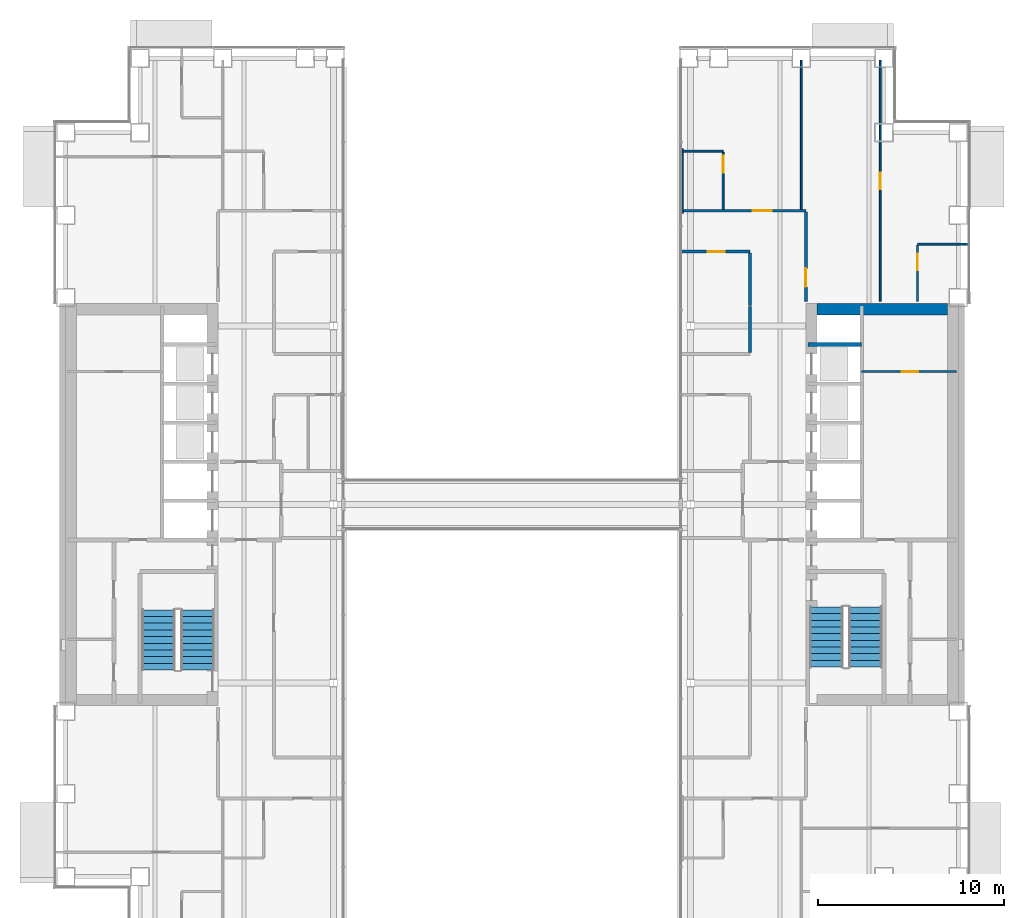
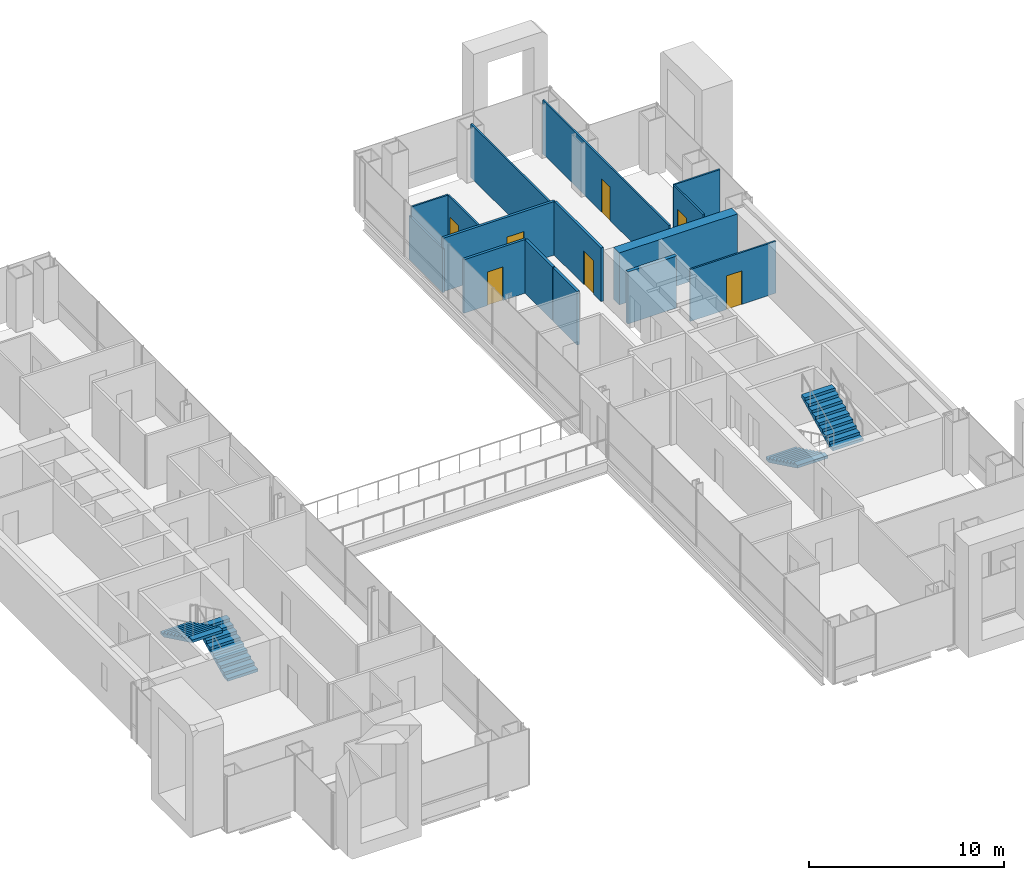
# One storey, part 17 of 21: 15 walls, 7 doors, 4 stair flights, 7 openings, 2 elements without a shape of their own.
"""IFC4 building model written with IfcOpenShell, lengths in metres."""

from ifc_helpers import new_model, si_unit, direction, frame, frame_2d, origin, place, context, subcontext, project, spatial, polyline, rectangle, outline, extrude, material, layer, layer_set, type_object, element, fill, aggregate, save


model = new_model("IFC4")

# Units and contexts
model_context = context("Model", 3, precision=1e-05, world=origin(), true_north=direction((0.0, 1.0)))
body_context = subcontext(model_context, "Body", "Model", "MODEL_VIEW")
ifc_project = project(units=[si_unit("LENGTHUNIT", "METRE"), si_unit("AREAUNIT", "SQUARE_METRE"), si_unit("VOLUMEUNIT", "CUBIC_METRE"), si_unit("PLANEANGLEUNIT", "RADIAN"), si_unit("MASSUNIT", "GRAM", prefix="KILO")], contexts=[model_context])

# Site, building, storey
site_placement = place(None, origin())
site = spatial("IfcSite", under=ifc_project, at=site_placement, CompositionType="ELEMENT")
building_placement = place(site_placement, origin())
building = spatial("IfcBuilding", under=site, at=building_placement, Name="Cobrizo Arcos Hotel Tower", CompositionType="ELEMENT")
storey_placement = place(building_placement, frame((0.0, 0.0, 74.0)))
storey = spatial("IfcBuildingStorey", under=building, at=storey_placement, Name="L17", CompositionType="ELEMENT", Elevation=74.0)

# Wall, opening, door
ifc_material_1 = material(Name="Gypsum board partition")
ifc_layer_1 = layer(ifc_material_1, 0.14990234375)
ifc_layer_set_1 = layer_set([ifc_layer_1], Name="Corridor wall EI 60 150")
wall_type_1 = type_object("IfcWallType", Name="Corridor wall EI 60 150", PredefinedType="PARTITIONING", material=ifc_layer_set_1)
wall_1_placement = place(storey_placement, frame((9.1201171875, 13.60009765625, 0.0), z_axis=(0.0, 0.0, 1.0), x_axis=(1.0, 0.0, 0.0)))
wall_1 = element("IfcWall", 1, at=wall_1_placement, inside=storey, type_object=wall_type_1, Name="Partition 042", PredefinedType="PARTITIONING", context=body_context, shape_type="SweptSolid", body=[
    extrude(rectangle(XDim=3.679931640625, YDim=0.14990234375, at=frame_2d((1.83984375, 0.0))), origin(), (0.0, 0.0, 1.0), 3.35009765625),
])
opening_1_placement = place(wall_1_placement, frame((1.405029296875, 0.0, 0.0)))
opening_1 = element("IfcOpeningElement", 2, at=opening_1_placement, cuts=wall_1, Name="Opening RD-14", PredefinedType="OPENING", context=body_context, shape_type="SweptSolid", body=[
    extrude(rectangle(XDim=0.89990234375, YDim=2.10009765625, at=frame_2d((0.449951171875, 1.050048828125))), frame((0.0, 0.0869140625, 0.0), z_axis=(0.0, -1.0, 0.0), x_axis=(1.0, 0.0, 0.0)), (0.0, 0.0, 1.0), 0.173828125),
])
ifc_material_2 = material(Name="Timber door leaf", Category="wood")
door_type_1 = type_object("IfcDoorType", Name="Room door FD30 900x2100", OperationType="SINGLE_SWING_LEFT", PredefinedType="DOOR", material=ifc_material_2)
door_1_placement = place(opening_1_placement, origin())
door_1 = element("IfcDoor", 3, at=door_1_placement, inside=storey, type_object=door_type_1, Name="Door RD-14", OperationType="SINGLE_SWING_LEFT", OverallHeight=2.10009765625, OverallWidth=0.89990234375, PredefinedType="DOOR", context=body_context, shape_type="SweptSolid", body=[
    extrude(rectangle(XDim=0.89990234375, YDim=2.10009765625, at=frame_2d((0.449951171875, 1.050048828125))), frame((0.0, 0.02490234375, 0.0), z_axis=(0.0, -1.0, 0.0), x_axis=(1.0, 0.0, 0.0)), (0.0, 0.0, 1.0), 0.050048828125),
])
fill(opening_1, door_1)

wall_2_placement = place(storey_placement, frame((9.14990234375, 15.800048828125, 0.0), z_axis=(0.0, 0.0, 1.0), x_axis=(1.0, 0.0, 0.0)))
wall_2 = element("IfcWall", 4, at=wall_2_placement, inside=storey, type_object=wall_type_1, Name="Partition 045", PredefinedType="PARTITIONING", context=body_context, shape_type="SweptSolid", body=[
    extrude(rectangle(XDim=6.650146484375, YDim=0.14990234375, at=frame_2d((3.3251953125, 0.0))), origin(), (0.0, 0.0, 1.0), 3.35009765625),
])
opening_2_placement = place(wall_2_placement, frame((3.802978515625, 0.0, 0.0)))
opening_2 = element("IfcOpeningElement", 5, at=opening_2_placement, cuts=wall_2, Name="Opening GD-01", PredefinedType="OPENING", context=body_context, shape_type="SweptSolid", body=[
    extrude(rectangle(XDim=1.0, YDim=2.10009765625, at=frame_2d((0.5, 1.050048828125))), frame((0.0, 0.0869140625, 0.0), z_axis=(0.0, -1.0, 0.0), x_axis=(1.0, 0.0, 0.0)), (0.0, 0.0, 1.0), 0.173828125),
])
door_type_2 = type_object("IfcDoorType", Name="Guest room door FD30S 1000x2100", OperationType="SINGLE_SWING_LEFT", PredefinedType="DOOR", material=ifc_material_2)
door_2_placement = place(opening_2_placement, origin())
door_2 = element("IfcDoor", 6, at=door_2_placement, inside=storey, type_object=door_type_2, Name="Door GD-01", OperationType="SINGLE_SWING_LEFT", OverallHeight=2.10009765625, OverallWidth=1.0, PredefinedType="DOOR", context=body_context, shape_type="SweptSolid", body=[
    extrude(rectangle(XDim=1.0, YDim=2.10009765625, at=frame_2d((0.5, 1.050048828125))), frame((0.0, 0.02490234375, 0.0), z_axis=(0.0, -1.0, 0.0), x_axis=(1.0, 0.0, 0.0)), (0.0, 0.0, 1.0), 0.050048828125),
])
fill(opening_2, door_2)

# Walls
wall_3_placement = place(storey_placement, frame((12.800048828125, 8.175048828125, 0.0), z_axis=(0.0, 0.0, 1.0), x_axis=(0.0, 1.0, 0.0)))
element("IfcWall", 7, at=wall_3_placement, inside=storey, type_object=wall_type_1, Name="Partition 075", PredefinedType="PARTITIONING", context=body_context, shape_type="SweptSolid", body=[
    extrude(rectangle(XDim=2.474853515625, YDim=0.14990234375, at=frame_2d((1.2373046875, 0.0))), origin(), (0.0, 0.0, 1.0), 3.35009765625),
])
wall_4_placement = place(storey_placement, frame((12.800048828125, 10.699951171875, 0.0), z_axis=(0.0, 0.0, 1.0), x_axis=(0.0, 1.0, 0.0)))
element("IfcWall", 8, at=wall_4_placement, inside=storey, type_object=wall_type_1, Name="Partition 076", PredefinedType="PARTITIONING", context=body_context, shape_type="SweptSolid", body=[
    extrude(rectangle(XDim=2.824951171875, YDim=0.14990234375, at=frame_2d((1.41259765625, 0.0))), origin(), (0.0, 0.0, 1.0), 3.35009765625),
])

# Wall, opening, door
wall_5_placement = place(storey_placement, frame((15.800048828125, 10.919921875, 0.0), z_axis=(0.0, 0.0, 1.0), x_axis=(0.0, 1.0, 0.0)))
wall_5 = element("IfcWall", 9, at=wall_5_placement, inside=storey, type_object=wall_type_1, Name="Partition 080", PredefinedType="PARTITIONING", context=body_context, shape_type="SweptSolid", body=[
    extrude(rectangle(XDim=4.80517578125, YDim=0.14990234375, at=frame_2d((2.402587890625, 0.0))), origin(), (0.0, 0.0, 1.0), 3.35009765625),
])
opening_3_placement = place(wall_5_placement, frame((0.780029296875, 0.0, 0.0)))
opening_3 = element("IfcOpeningElement", 10, at=opening_3_placement, cuts=wall_5, Name="Opening GD-08", PredefinedType="OPENING", context=body_context, shape_type="SweptSolid", body=[
    extrude(rectangle(XDim=1.0, YDim=2.10009765625, at=frame_2d((0.5, 1.050048828125))), frame((0.0, 0.0869140625, 0.0), z_axis=(0.0, -1.0, 0.0), x_axis=(1.0, 0.0, 0.0)), (0.0, 0.0, 1.0), 0.173828125),
])
door_3_placement = place(opening_3_placement, origin())
door_3 = element("IfcDoor", 11, at=door_3_placement, inside=storey, type_object=door_type_2, Name="Door GD-08", OperationType="SINGLE_SWING_RIGHT", OverallHeight=2.10009765625, OverallWidth=1.0, PredefinedType="DOOR", context=body_context, shape_type="SweptSolid", body=[
    extrude(rectangle(XDim=1.0, YDim=2.10009765625, at=frame_2d((0.5, 1.050048828125))), frame((0.0, 0.02490234375, 0.0), z_axis=(0.0, -1.0, 0.0), x_axis=(1.0, 0.0, 0.0)), (0.0, 0.0, 1.0), 0.050048828125),
])
fill(opening_3, door_3)

ifc_layer_2 = layer(ifc_material_1, 0.10009765625)
ifc_layer_set_2 = layer_set([ifc_layer_2], Name="Partition EI 30 100")
wall_type_2 = type_object("IfcWallType", Name="Partition EI 30 100", PredefinedType="PARTITIONING", material=ifc_layer_set_2)
wall_6_placement = place(storey_placement, frame((18.800048828125, 7.14990234375, 0.0), z_axis=(0.0, 0.0, 1.0), x_axis=(1.0, 0.0, 0.0)))
wall_6 = element("IfcWall", 12, at=wall_6_placement, inside=storey, type_object=wall_type_2, Name="Partition 036", PredefinedType="PARTITIONING", context=body_context, shape_type="SweptSolid", body=[
    extrude(rectangle(XDim=5.079833984375, YDim=0.10009765625, at=frame_2d((2.5400390625, 0.0))), origin(), (0.0, 0.0, 1.0), 3.25),
])
opening_4_placement = place(wall_6_placement, frame((2.14990234375, 0.0, 0.0)))
opening_4 = element("IfcOpeningElement", 13, at=opening_4_placement, cuts=wall_6, Name="Opening RD-08", PredefinedType="OPENING", context=body_context, shape_type="SweptSolid", body=[
    extrude(rectangle(XDim=0.89990234375, YDim=2.10009765625, at=frame_2d((0.449951171875, 1.050048828125))), frame((0.0, 0.06201171875, 0.0), z_axis=(0.0, -1.0, 0.0), x_axis=(1.0, 0.0, 0.0)), (0.0, 0.0, 1.0), 0.1240234375),
])
door_4_placement = place(opening_4_placement, origin())
door_4 = element("IfcDoor", 14, at=door_4_placement, inside=storey, type_object=door_type_1, Name="Door RD-08", OperationType="SINGLE_SWING_LEFT", OverallHeight=2.10009765625, OverallWidth=0.89990234375, PredefinedType="DOOR", context=body_context, shape_type="SweptSolid", body=[
    extrude(rectangle(XDim=0.89990234375, YDim=2.10009765625, at=frame_2d((0.449951171875, 1.050048828125))), frame((0.0, 0.02490234375, 0.0), z_axis=(0.0, -1.0, 0.0), x_axis=(1.0, 0.0, 0.0)), (0.0, 0.0, 1.0), 0.050048828125),
])
fill(opening_4, door_4)

# Walls
wall_7_placement = place(storey_placement, frame((21.800048828125, 14.0, 0.0), z_axis=(0.0, 0.0, 1.0), x_axis=(1.0, 0.0, 0.0)))
element("IfcWall", 15, at=wall_7_placement, inside=storey, type_object=wall_type_2, Name="Partition 043", PredefinedType="PARTITIONING", context=body_context, shape_type="SweptSolid", body=[
    extrude(rectangle(XDim=2.72998046875, YDim=0.10009765625, at=frame_2d((1.364990234375, 0.0))), origin(), (0.0, 0.0, 1.0), 3.35009765625),
])
wall_8_placement = place(storey_placement, frame((9.14990234375, 19.0, 0.0), z_axis=(0.0, 0.0, 1.0), x_axis=(1.0, 0.0, 0.0)))
element("IfcWall", 16, at=wall_8_placement, inside=storey, type_object=wall_type_2, Name="Partition 048", PredefinedType="PARTITIONING", context=body_context, shape_type="SweptSolid", body=[
    extrude(rectangle(XDim=2.2001953125, YDim=0.10009765625, at=frame_2d((1.10009765625, 0.0))), origin(), (0.0, 0.0, 1.0), 3.35009765625),
])
wall_9_placement = place(storey_placement, frame((9.14990234375, 15.659912109375, 0.0), z_axis=(0.0, 0.0, 1.0), x_axis=(0.0, 1.0, 0.0)))
element("IfcWall", 17, at=wall_9_placement, inside=storey, type_object=wall_type_2, Name="Partition 069", PredefinedType="PARTITIONING", context=body_context, shape_type="SweptSolid", body=[
    extrude(rectangle(XDim=3.47998046875, YDim=0.10009765625, at=frame_2d((1.739990234375, 0.0))), origin(), (0.0, 0.0, 1.0), 2.73291015625),
])

# Wall, opening, door
wall_10_placement = place(storey_placement, frame((11.35009765625, 15.875, 0.0), z_axis=(0.0, 0.0, 1.0), x_axis=(0.0, 1.0, 0.0)))
wall_10 = element("IfcWall", 18, at=wall_10_placement, inside=storey, type_object=wall_type_2, Name="Partition 071", PredefinedType="PARTITIONING", context=body_context, shape_type="SweptSolid", body=[
    extrude(rectangle(XDim=3.074951171875, YDim=0.10009765625, at=frame_2d((1.53759765625, 0.0))), origin(), (0.0, 0.0, 1.0), 3.35009765625),
])
opening_5_placement = place(wall_10_placement, frame((1.970947265625, 0.0, 0.0)))
opening_5 = element("IfcOpeningElement", 19, at=opening_5_placement, cuts=wall_10, Name="Opening ED-01", PredefinedType="OPENING", context=body_context, shape_type="SweptSolid", body=[
    extrude(rectangle(XDim=0.89990234375, YDim=2.10009765625, at=frame_2d((0.449951171875, 1.050048828125))), frame((0.0, 0.06201171875, 0.0), z_axis=(0.0, -1.0, 0.0), x_axis=(1.0, 0.0, 0.0)), (0.0, 0.0, 1.0), 0.1240234375),
])
door_type_3 = type_object("IfcDoorType", Name="En-suite door 900x2100", OperationType="SINGLE_SWING_LEFT", PredefinedType="DOOR", material=ifc_material_2)
door_5_placement = place(opening_5_placement, origin())
door_5 = element("IfcDoor", 20, at=door_5_placement, inside=storey, type_object=door_type_3, Name="Door ED-01", OperationType="SINGLE_SWING_RIGHT", OverallHeight=2.10009765625, OverallWidth=0.89990234375, PredefinedType="DOOR", context=body_context, shape_type="SweptSolid", body=[
    extrude(rectangle(XDim=0.89990234375, YDim=2.10009765625, at=frame_2d((0.449951171875, 1.050048828125))), frame((0.0, 0.02490234375, 0.0), z_axis=(0.0, -1.0, 0.0), x_axis=(1.0, 0.0, 0.0)), (0.0, 0.0, 1.0), 0.050048828125),
])
fill(opening_5, door_5)

# Wall
wall_11_placement = place(storey_placement, frame((15.550048828125, 15.875, 0.0), z_axis=(0.0, 0.0, 1.0), x_axis=(0.0, 1.0, 0.0)))
element("IfcWall", 21, at=wall_11_placement, inside=storey, type_object=wall_type_2, Name="Partition 078", PredefinedType="PARTITIONING", context=body_context, shape_type="SweptSolid", body=[
    extrude(rectangle(XDim=8.0048828125, YDim=0.10009765625, at=frame_2d((4.00244140625, 0.0))), origin(), (0.0, 0.0, 1.0), 3.35009765625),
])

# Wall, opening, door
wall_12_placement = place(storey_placement, frame((19.800048828125, 10.919921875, 0.0), z_axis=(0.0, 0.0, 1.0), x_axis=(0.0, 1.0, 0.0)))
wall_12 = element("IfcWall", 22, at=wall_12_placement, inside=storey, type_object=wall_type_2, Name="Partition 083", PredefinedType="PARTITIONING", context=body_context, shape_type="SweptSolid", body=[
    extrude(rectangle(XDim=12.9599609375, YDim=0.10009765625, at=frame_2d((6.47998046875, 0.0))), origin(), (0.0, 0.0, 1.0), 3.35009765625),
])
opening_6_placement = place(wall_12_placement, frame((6.030029296875, 0.0, 0.0)))
opening_6 = element("IfcOpeningElement", 23, at=opening_6_placement, cuts=wall_12, Name="Opening RD-12", PredefinedType="OPENING", context=body_context, shape_type="SweptSolid", body=[
    extrude(rectangle(XDim=0.89990234375, YDim=2.10009765625, at=frame_2d((0.449951171875, 1.050048828125))), frame((0.0, 0.06201171875, 0.0), z_axis=(0.0, -1.0, 0.0), x_axis=(1.0, 0.0, 0.0)), (0.0, 0.0, 1.0), 0.1240234375),
])
door_6_placement = place(opening_6_placement, origin())
door_6 = element("IfcDoor", 24, at=door_6_placement, inside=storey, type_object=door_type_1, Name="Door RD-12", OperationType="SINGLE_SWING_RIGHT", OverallHeight=2.10009765625, OverallWidth=0.89990234375, PredefinedType="DOOR", context=body_context, shape_type="SweptSolid", body=[
    extrude(rectangle(XDim=0.89990234375, YDim=2.10009765625, at=frame_2d((0.449951171875, 1.050048828125))), frame((0.0, 0.02490234375, 0.0), z_axis=(0.0, -1.0, 0.0), x_axis=(1.0, 0.0, 0.0)), (0.0, 0.0, 1.0), 0.050048828125),
])
fill(opening_6, door_6)

wall_13_placement = place(storey_placement, frame((21.800048828125, 10.919921875, 0.0), z_axis=(0.0, 0.0, 1.0), x_axis=(0.0, 1.0, 0.0)))
wall_13 = element("IfcWall", 25, at=wall_13_placement, inside=storey, type_object=wall_type_2, Name="Partition 086", PredefinedType="PARTITIONING", context=body_context, shape_type="SweptSolid", body=[
    extrude(rectangle(XDim=3.030029296875, YDim=0.10009765625, at=frame_2d((1.51513671875, 0.0))), origin(), (0.0, 0.0, 1.0), 3.35009765625),
])
opening_7_placement = place(wall_13_placement, frame((1.669921875, 0.0, 0.0)))
opening_7 = element("IfcOpeningElement", 26, at=opening_7_placement, cuts=wall_13, Name="Opening ED-08", PredefinedType="OPENING", context=body_context, shape_type="SweptSolid", body=[
    extrude(rectangle(XDim=0.89990234375, YDim=2.10009765625, at=frame_2d((0.449951171875, 1.050048828125))), frame((0.0, 0.06201171875, 0.0), z_axis=(0.0, -1.0, 0.0), x_axis=(1.0, 0.0, 0.0)), (0.0, 0.0, 1.0), 0.1240234375),
])
door_7_placement = place(opening_7_placement, origin())
door_7 = element("IfcDoor", 27, at=door_7_placement, inside=storey, type_object=door_type_3, Name="Door ED-08", OperationType="SINGLE_SWING_LEFT", OverallHeight=2.10009765625, OverallWidth=0.89990234375, PredefinedType="DOOR", context=body_context, shape_type="SweptSolid", body=[
    extrude(rectangle(XDim=0.89990234375, YDim=2.10009765625, at=frame_2d((0.449951171875, 1.050048828125))), frame((0.0, 0.02490234375, 0.0), z_axis=(0.0, -1.0, 0.0), x_axis=(1.0, 0.0, 0.0)), (0.0, 0.0, 1.0), 0.050048828125),
])
fill(opening_7, door_7)

# Walls
ifc_material_3 = material(Name="Concrete f'c 60 MPa", Category="concrete")
ifc_layer_3 = layer(ifc_material_3, 0.60009765625)
ifc_layer_set_3 = layer_set([ifc_layer_3], Name="RC core wall 600 f'c 60")
wall_type_3 = type_object("IfcWallType", Name="RC core wall 600 f'c 60", PredefinedType="SHEAR", material=ifc_layer_set_3)
wall_14_placement = place(storey_placement, frame((16.39990234375, 10.5, 0.0), z_axis=(0.0, 0.0, 1.0), x_axis=(1.0, 0.0, 0.0)))
element("IfcWall", 28, at=wall_14_placement, inside=storey, type_object=wall_type_3, Name="Core wall CW1, east core, north end, L17", PredefinedType="SHEAR", context=body_context, shape_type="SweptSolid", body=[
    extrude(rectangle(XDim=7.0, YDim=0.60009765625, at=frame_2d((3.5, 0.0))), origin(), (0.0, 0.0, 1.0), 3.25),
])
ifc_layer_4 = layer(ifc_material_1, 0.199951171875)
ifc_layer_set_4 = layer_set([ifc_layer_4], Name="Shaft wall EI 120 200")
wall_type_4 = type_object("IfcWallType", Name="Shaft wall EI 120 200", PredefinedType="PARTITIONING", material=ifc_layer_set_4)
wall_15_placement = place(storey_placement, frame((15.919921875, 8.60009765625, 0.0), z_axis=(0.0, 0.0, 1.0), x_axis=(1.0, 0.0, 0.0)))
element("IfcWall", 29, at=wall_15_placement, inside=storey, type_object=wall_type_4, Name="Partition 040", PredefinedType="PARTITIONING", context=body_context, shape_type="SweptSolid", body=[
    extrude(rectangle(XDim=2.880126953125, YDim=0.199951171875, at=frame_2d((1.43994140625, 0.0))), origin(), (0.0, 0.0, 1.0), 3.25),
])

# Stair, stair flights
ifc_material_4 = material(Name="Concrete f'c 40 MPa", Category="concrete")
stair_type = type_object("IfcStairType", Name="Exit stair", PredefinedType="HALF_TURN_STAIR", material=ifc_material_4)
stair_1_placement = place(storey_placement, origin())
stair_1 = element("IfcStair", 30, at=stair_1_placement, inside=storey, type_object=stair_type, Name="L17 Exit stair ST-W", PredefinedType="HALF_TURN_STAIR")
stair_flight_type = type_object("IfcStairFlightType", Name="Exit stair flight", PredefinedType="STRAIGHT", material=ifc_material_4)
stair_flight_1_placement = place(storey_placement, frame((-16.89990234375, -8.89990234375, 0.0), z_axis=(0.0, 0.0, 1.0), x_axis=(0.0, 1.0, 0.0)))
stair_flight_1 = element("IfcStairFlight", 31, at=stair_flight_1_placement, type_object=stair_flight_type, Name="ST-W flight 1", NumberOfRisers=10, NumberOfTreads=9, PredefinedType="STRAIGHT", RiserHeight=0.175, TreadLength=0.36, context=body_context, shape_type="SweptSolid", body=[
    extrude(outline(polyline([(0.0, 0.0), (0.0, 0.175048828125), (0.360107421875, 0.175048828125), (0.360107421875, 0.35009765625), (0.719970703125, 0.35009765625), (0.719970703125, 0.52490234375), (1.080078125, 0.52490234375), (1.080078125, 0.699951171875), (1.43994140625, 0.699951171875), (1.43994140625, 0.875), (1.800048828125, 0.875), (1.800048828125, 1.050048828125), (2.159912109375, 1.050048828125), (2.159912109375, 1.22509765625), (2.52001953125, 1.22509765625), (2.52001953125, 1.39990234375), (2.8798828125, 1.39990234375), (2.8798828125, 1.574951171875), (3.239990234375, 1.574951171875), (3.239990234375, 1.75), (3.239990234375, 1.408203125), (0.3427734375, 0.0), (0.0, 0.0)])), frame((0.0, 0.89990234375, 0.0), z_axis=(0.0, -1.0, 0.0), x_axis=(1.0, 0.0, 0.0)), (0.0, 0.0, 1.0), 1.800048828125),
])
stair_flight_2_placement = place(storey_placement, frame((-19.0, -5.659912109375, 1.75), z_axis=(0.0, 0.0, 1.0), x_axis=(0.0, -1.0, 0.0)))
stair_flight_2 = element("IfcStairFlight", 32, at=stair_flight_2_placement, type_object=stair_flight_type, Name="ST-W flight 2", NumberOfRisers=10, NumberOfTreads=9, PredefinedType="STRAIGHT", RiserHeight=0.175, TreadLength=0.36, context=body_context, shape_type="SweptSolid", body=[
    extrude(outline(polyline([(0.0, 0.0), (0.0, 0.175048828125), (0.360107421875, 0.175048828125), (0.360107421875, 0.35009765625), (0.719970703125, 0.35009765625), (0.719970703125, 0.52490234375), (1.080078125, 0.52490234375), (1.080078125, 0.699951171875), (1.43994140625, 0.699951171875), (1.43994140625, 0.875), (1.800048828125, 0.875), (1.800048828125, 1.050048828125), (2.159912109375, 1.050048828125), (2.159912109375, 1.22509765625), (2.52001953125, 1.22509765625), (2.52001953125, 1.39990234375), (2.8798828125, 1.39990234375), (2.8798828125, 1.574951171875), (3.239990234375, 1.574951171875), (3.239990234375, 1.75), (3.239990234375, 1.408203125), (0.3427734375, 0.0), (0.0, 0.0)])), frame((0.0, 0.89990234375, 0.0), z_axis=(0.0, -1.0, 0.0), x_axis=(1.0, 0.0, 0.0)), (0.0, 0.0, 1.0), 1.800048828125),
])
aggregate(stair_1, [stair_flight_1, stair_flight_2])

stair_2_placement = place(storey_placement, origin())
stair_2 = element("IfcStair", 33, at=stair_2_placement, inside=storey, type_object=stair_type, Name="L17 Exit stair ST-E", PredefinedType="HALF_TURN_STAIR")
stair_flight_3_placement = place(storey_placement, frame((16.89990234375, -5.5, 0.0), z_axis=(0.0, 0.0, 1.0), x_axis=(0.0, -1.0, 0.0)))
stair_flight_3 = element("IfcStairFlight", 34, at=stair_flight_3_placement, type_object=stair_flight_type, Name="ST-E flight 1", NumberOfRisers=10, NumberOfTreads=9, PredefinedType="STRAIGHT", RiserHeight=0.175, TreadLength=0.36, context=body_context, shape_type="SweptSolid", body=[
    extrude(outline(polyline([(0.0, 0.0), (0.0, 0.175048828125), (0.360107421875, 0.175048828125), (0.360107421875, 0.35009765625), (0.719970703125, 0.35009765625), (0.719970703125, 0.52490234375), (1.080078125, 0.52490234375), (1.080078125, 0.699951171875), (1.43994140625, 0.699951171875), (1.43994140625, 0.875), (1.800048828125, 0.875), (1.800048828125, 1.050048828125), (2.159912109375, 1.050048828125), (2.159912109375, 1.22509765625), (2.52001953125, 1.22509765625), (2.52001953125, 1.39990234375), (2.8798828125, 1.39990234375), (2.8798828125, 1.574951171875), (3.239990234375, 1.574951171875), (3.239990234375, 1.75), (3.239990234375, 1.408203125), (0.3427734375, 0.0), (0.0, 0.0)])), frame((0.0, 0.89990234375, 0.0), z_axis=(0.0, -1.0, 0.0), x_axis=(1.0, 0.0, 0.0)), (0.0, 0.0, 1.0), 1.800048828125),
])
stair_flight_4_placement = place(storey_placement, frame((19.0, -8.739990234375, 1.75), z_axis=(0.0, 0.0, 1.0), x_axis=(0.0, 1.0, 0.0)))
stair_flight_4 = element("IfcStairFlight", 35, at=stair_flight_4_placement, type_object=stair_flight_type, Name="ST-E flight 2", NumberOfRisers=10, NumberOfTreads=9, PredefinedType="STRAIGHT", RiserHeight=0.175, TreadLength=0.36, context=body_context, shape_type="SweptSolid", body=[
    extrude(outline(polyline([(0.0, 0.0), (0.0, 0.175048828125), (0.360107421875, 0.175048828125), (0.360107421875, 0.35009765625), (0.719970703125, 0.35009765625), (0.719970703125, 0.52490234375), (1.080078125, 0.52490234375), (1.080078125, 0.699951171875), (1.43994140625, 0.699951171875), (1.43994140625, 0.875), (1.800048828125, 0.875), (1.800048828125, 1.050048828125), (2.159912109375, 1.050048828125), (2.159912109375, 1.22509765625), (2.52001953125, 1.22509765625), (2.52001953125, 1.39990234375), (2.8798828125, 1.39990234375), (2.8798828125, 1.574951171875), (3.239990234375, 1.574951171875), (3.239990234375, 1.75), (3.239990234375, 1.408203125), (0.3427734375, 0.0), (0.0, 0.0)])), frame((0.0, 0.89990234375, 0.0), z_axis=(0.0, -1.0, 0.0), x_axis=(1.0, 0.0, 0.0)), (0.0, 0.0, 1.0), 1.800048828125),
])
aggregate(stair_2, [stair_flight_3, stair_flight_4])

save(model, "model.ifc")
